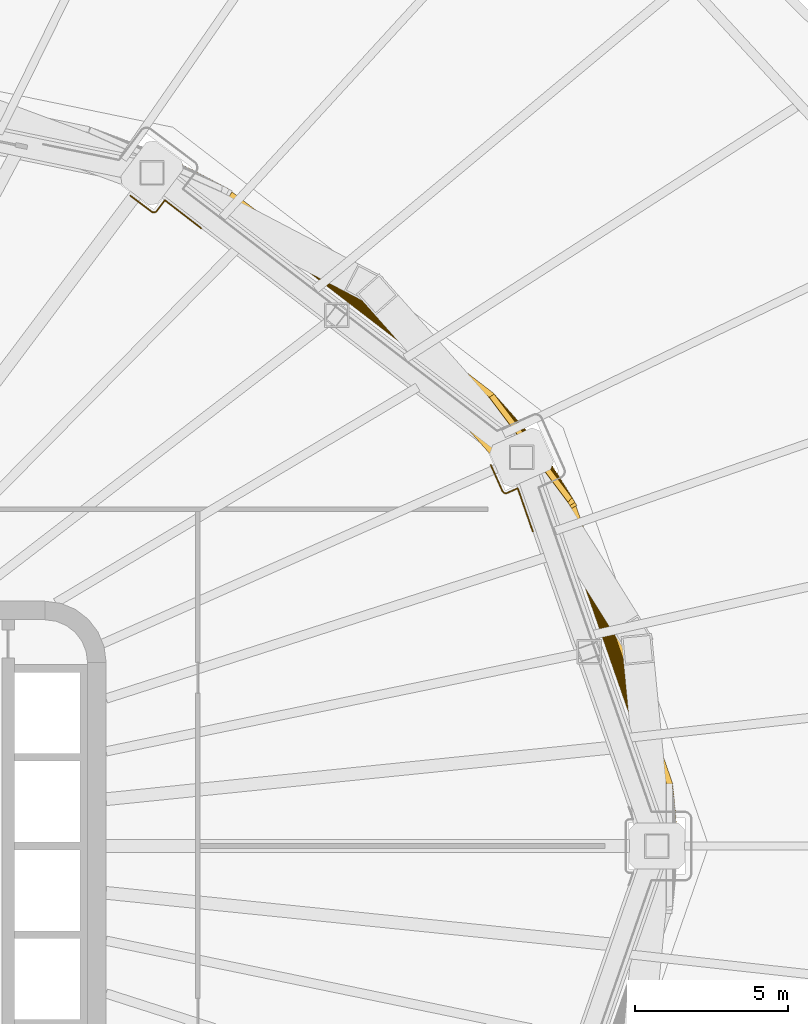
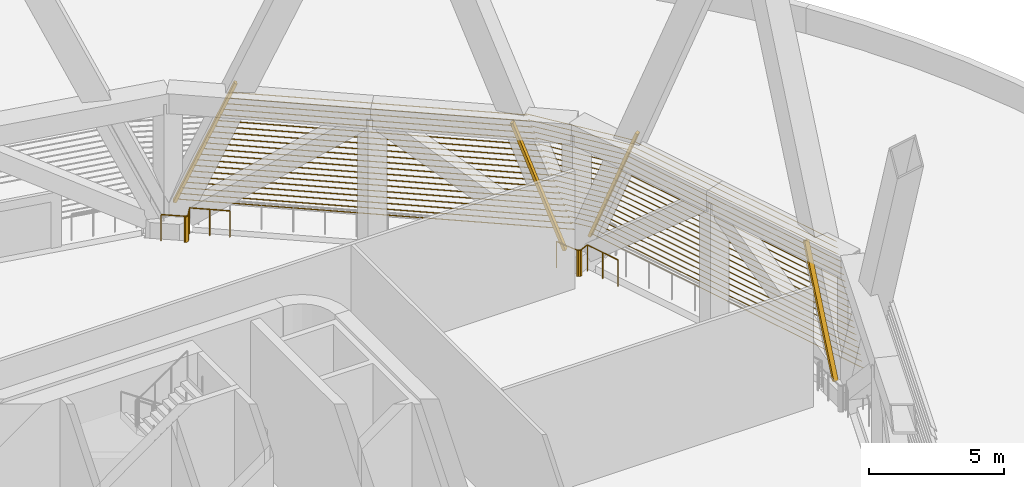
# One storey, part 25 of 27: 3 shading devices, 2 railings.
"""IFC4 building model written with IfcOpenShell, lengths in metres."""

from ifc_helpers import new_model, si_unit, direction, frame, origin, origin_2d, place, context, subcontext, project, spatial, rectangle, circle, extrude, material, type_object, element, save


model = new_model("IFC4")

# Units and contexts
model_context = context("Model", 3, precision=1e-05, world=origin(), true_north=direction((0.0, 1.0)))
body_context = subcontext(model_context, "Body", "Model", "MODEL_VIEW")
ifc_project = project(units=[si_unit("LENGTHUNIT", "METRE"), si_unit("AREAUNIT", "SQUARE_METRE"), si_unit("VOLUMEUNIT", "CUBIC_METRE"), si_unit("PLANEANGLEUNIT", "RADIAN"), si_unit("MASSUNIT", "GRAM", prefix="KILO")], contexts=[model_context])

# Site, building, storey
site_placement = place(None, origin())
site = spatial("IfcSite", under=ifc_project, at=site_placement, CompositionType="ELEMENT")
building_placement = place(site_placement, origin())
building = spatial("IfcBuilding", under=site, at=building_placement, Name="Sahrelin Media Tower", CompositionType="ELEMENT")
storey_placement = place(building_placement, frame((0.0, 0.0, 44.0)))
storey = spatial("IfcBuildingStorey", under=building, at=storey_placement, Name="L06", CompositionType="ELEMENT", Elevation=44.0)

# Railings
ifc_material_1 = material(Name="Stainless steel 316", Category="steel")
railing_type = type_object("IfcRailingType", Name="Maintenance platform guard", PredefinedType="GUARDRAIL", material=ifc_material_1)
railing_1_placement = place(storey_placement, frame((27.5712890625, 12.455078125, 0.0)))
element("IfcRailing", 1, at=railing_1_placement, inside=storey, type_object=railing_type, Name="Plant level edge guard 2", PredefinedType="GUARDRAIL", context=body_context, shape_type="SweptSolid", body=[
    extrude(circle(Radius=0.02392578125, at=origin_2d()), frame((0.0, 0.0, 1.17578125), z_axis=(0.406283261409, -0.91374718139, 0.0), x_axis=(0.91374718139, 0.406283261409, 0.0)), (0.0, 0.0, 1.0), 0.938720703125),
    extrude(circle(Radius=0.02392578125, at=origin_2d()), frame((0.38134765625, -0.857666015625, 1.17578125), z_axis=(0.466758619558, -0.884384752847, 0.0), x_axis=(0.884384752847, 0.466758619558, 0.0)), (0.0, 0.0, 1.0), 0.010009765625),
    extrude(circle(Radius=0.02392578125, at=origin_2d()), frame((0.385986328125, -0.866455078125, 1.17578125), z_axis=(0.53966611472, -0.841879138964, 0.0), x_axis=(0.841879138964, 0.53966611472, 0.0)), (0.0, 0.0, 1.0), 0.01123046875),
    extrude(circle(Radius=0.02392578125, at=origin_2d()), frame((0.39208984375, -0.8759765625, 1.17578125), z_axis=(0.621394711002, -0.78349767909, 0.0), x_axis=(0.78349767909, 0.621394711002, 0.0)), (0.0, 0.0, 1.0), 0.009033203125),
    extrude(circle(Radius=0.02392578125, at=origin_2d()), frame((0.397705078125, -0.883056640625, 1.17578125), z_axis=(0.658504607869, -0.752576694707, 0.0), x_axis=(0.752576694707, 0.658504607869, 0.0)), (0.0, 0.0, 1.0), 0.012939453125),
    extrude(circle(Radius=0.02392578125, at=origin_2d()), frame((0.40625, -0.892822265625, 1.17578125), z_axis=(0.77137327854, -0.636382954796, 0.0), x_axis=(0.636382954796, 0.77137327854, 0.0)), (0.0, 0.0, 1.0), 0.0126953125),
    extrude(circle(Radius=0.02392578125, at=origin_2d()), frame((0.416015625, -0.90087890625, 1.17578125), z_axis=(0.815180408266, -0.579207132189, 0.0), x_axis=(0.579207132189, 0.815180408266, 0.0)), (0.0, 0.0, 1.0), 0.011474609375),
    extrude(circle(Radius=0.02392578125, at=origin_2d()), frame((0.42529296875, -0.907470703125, 1.17578125), z_axis=(0.875034042418, -0.484061385167, 0.0), x_axis=(0.484061385167, 0.875034042418, 0.0)), (0.0, 0.0, 1.0), 0.01318359375),
    extrude(circle(Radius=0.02392578125, at=origin_2d()), frame((0.436767578125, -0.913818359375, 1.17578125), z_axis=(0.919145030018, -0.393919298579, 0.0), x_axis=(0.393919298579, 0.919145030018, 0.0)), (0.0, 0.0, 1.0), 0.01123046875),
    extrude(circle(Radius=0.02392578125, at=origin_2d()), frame((0.447021484375, -0.918212890625, 1.17578125), z_axis=(0.948683298051, -0.316227766017, 0.0), x_axis=(0.316227766017, 0.948683298051, 0.0)), (0.0, 0.0, 1.0), 0.010009765625),
    extrude(circle(Radius=0.02392578125, at=origin_2d()), frame((0.45654296875, -0.92138671875, 1.17578125), z_axis=(0.971297311632, -0.237868729379, 0.0), x_axis=(0.237868729379, 0.971297311632, 0.0)), (0.0, 0.0, 1.0), 0.01220703125),
    extrude(circle(Radius=0.02392578125, at=origin_2d()), frame((0.468505859375, -0.92431640625, 1.17578125), z_axis=(0.99503719021, -0.099503719021, 0.0), x_axis=(0.099503719021, 0.99503719021, 0.0)), (0.0, 0.0, 1.0), 0.01220703125),
    extrude(circle(Radius=0.02392578125, at=origin_2d()), frame((0.480712890625, -0.925537109375, 1.17578125), z_axis=(0.998052578483, -0.062378286155, 0.0), x_axis=(0.062378286155, 0.998052578483, 0.0)), (0.0, 0.0, 1.0), 0.01171875),
    extrude(circle(Radius=0.02392578125, at=origin_2d()), frame((0.492431640625, -0.92626953125, 1.17578125), z_axis=(0.99522852512, 0.097571424031, 0.0), x_axis=(-0.097571424031, 0.99522852512, 0.0)), (0.0, 0.0, 1.0), 0.012451171875),
    extrude(circle(Radius=0.02392578125, at=origin_2d()), frame((0.5048828125, -0.925048828125, 1.17578125), z_axis=(0.987440631917, 0.157990501107, 0.0), x_axis=(-0.157990501107, 0.987440631917, 0.0)), (0.0, 0.0, 1.0), 0.012451171875),
    extrude(circle(Radius=0.02392578125, at=origin_2d()), frame((0.51708984375, -0.923095703125, 1.17578125), z_axis=(0.950605456491, 0.310401781711, 0.0), x_axis=(-0.310401781711, 0.950605456491, 0.0)), (0.0, 0.0, 1.0), 0.0126953125),
    extrude(circle(Radius=0.02392578125, at=origin_2d()), frame((0.529052734375, -0.919189453125, 1.17578125), z_axis=(0.934997526318, 0.354654234121, 0.0), x_axis=(-0.354654234121, 0.934997526318, 0.0)), (0.0, 0.0, 1.0), 0.007568359375),
    extrude(circle(Radius=0.02392578125, at=origin_2d()), frame((0.5361328125, -0.91650390625, 1.17578125), z_axis=(0.913891374695, 0.405958809805, 0.0), x_axis=(-0.405958809805, 0.913891374695, 0.0)), (0.0, 0.0, 1.0), 0.378173828125),
    extrude(circle(Radius=0.02392578125, at=origin_2d()), frame((0.8818359375, -0.762939453125, 1.17578125), z_axis=(0.328798392756, -0.944400136024, 0.0), x_axis=(0.944400136024, 0.328798392756, 0.0)), (0.0, 0.0, 1.0), 1.5),
    extrude(circle(Radius=0.02099609375, at=origin_2d()), origin(), (0.0, 0.0, 1.0), 1.15185546875),
    extrude(circle(Radius=0.02099609375, at=origin_2d()), frame((0.38134765625, -0.857666015625, 0.0)), (0.0, 0.0, 1.0), 1.15185546875),
    extrude(circle(Radius=0.02099609375, at=origin_2d()), frame((0.385986328125, -0.866455078125, 0.0)), (0.0, 0.0, 1.0), 1.15185546875),
    extrude(circle(Radius=0.02099609375, at=origin_2d()), frame((0.39208984375, -0.8759765625, 0.0)), (0.0, 0.0, 1.0), 1.15185546875),
    extrude(circle(Radius=0.02099609375, at=origin_2d()), frame((0.397705078125, -0.883056640625, 0.0)), (0.0, 0.0, 1.0), 1.15185546875),
    extrude(circle(Radius=0.02099609375, at=origin_2d()), frame((0.40625, -0.892822265625, 0.0)), (0.0, 0.0, 1.0), 1.15185546875),
    extrude(circle(Radius=0.02099609375, at=origin_2d()), frame((0.416015625, -0.90087890625, 0.0)), (0.0, 0.0, 1.0), 1.15185546875),
    extrude(circle(Radius=0.02099609375, at=origin_2d()), frame((0.42529296875, -0.907470703125, 0.0)), (0.0, 0.0, 1.0), 1.15185546875),
    extrude(circle(Radius=0.02099609375, at=origin_2d()), frame((0.436767578125, -0.913818359375, 0.0)), (0.0, 0.0, 1.0), 1.15185546875),
    extrude(circle(Radius=0.02099609375, at=origin_2d()), frame((0.447021484375, -0.918212890625, 0.0)), (0.0, 0.0, 1.0), 1.15185546875),
    extrude(circle(Radius=0.02099609375, at=origin_2d()), frame((0.45654296875, -0.92138671875, 0.0)), (0.0, 0.0, 1.0), 1.15185546875),
    extrude(circle(Radius=0.02099609375, at=origin_2d()), frame((0.468505859375, -0.92431640625, 0.0)), (0.0, 0.0, 1.0), 1.15185546875),
    extrude(circle(Radius=0.02099609375, at=origin_2d()), frame((0.480712890625, -0.925537109375, 0.0)), (0.0, 0.0, 1.0), 1.15185546875),
    extrude(circle(Radius=0.02099609375, at=origin_2d()), frame((0.492431640625, -0.92626953125, 0.0)), (0.0, 0.0, 1.0), 1.15185546875),
    extrude(circle(Radius=0.02099609375, at=origin_2d()), frame((0.5048828125, -0.925048828125, 0.0)), (0.0, 0.0, 1.0), 1.15185546875),
    extrude(circle(Radius=0.02099609375, at=origin_2d()), frame((0.51708984375, -0.923095703125, 0.0)), (0.0, 0.0, 1.0), 1.15185546875),
    extrude(circle(Radius=0.02099609375, at=origin_2d()), frame((0.529052734375, -0.919189453125, 0.0)), (0.0, 0.0, 1.0), 1.15185546875),
    extrude(circle(Radius=0.02099609375, at=origin_2d()), frame((0.5361328125, -0.91650390625, 0.0)), (0.0, 0.0, 1.0), 1.15185546875),
    extrude(circle(Radius=0.02099609375, at=origin_2d()), frame((0.8818359375, -0.762939453125, 0.0)), (0.0, 0.0, 1.0), 1.15185546875),
    extrude(circle(Radius=0.02099609375, at=origin_2d()), frame((1.12841796875, -1.47119140625, 0.0)), (0.0, 0.0, 1.0), 1.15185546875),
    extrude(circle(Radius=0.02099609375, at=origin_2d()), frame((1.375, -2.179443359375, 0.0)), (0.0, 0.0, 1.0), 1.15185546875),
])
railing_2_placement = place(storey_placement, frame((15.790283203125, 21.25439453125, 0.0)))
element("IfcRailing", 2, at=railing_2_placement, inside=storey, type_object=railing_type, Name="Plant level edge guard 3", PredefinedType="GUARDRAIL", context=body_context, shape_type="SweptSolid", body=[
    extrude(circle(Radius=0.02392578125, at=origin_2d()), frame((0.0, 0.0, 1.17578125), z_axis=(0.799865924291, -0.600178726013, 0.0), x_axis=(0.600178726013, 0.799865924291, 0.0)), (0.0, 0.0, 1.0), 0.874267578125),
    extrude(circle(Radius=0.02392578125, at=origin_2d()), frame((0.69921875, -0.524658203125, 1.17578125), z_axis=(0.828588968691, -0.559857411278, 0.0), x_axis=(0.559857411278, 0.828588968691, 0.0)), (0.0, 0.0, 1.0), 0.010986328125),
    extrude(circle(Radius=0.02392578125, at=origin_2d()), frame((0.708251953125, -0.53076171875, 1.17578125), z_axis=(0.890043364859, -0.455875869806, 0.0), x_axis=(0.455875869806, 0.890043364859, 0.0)), (0.0, 0.0, 1.0), 0.01123046875),
    extrude(circle(Radius=0.02392578125, at=origin_2d()), frame((0.71826171875, -0.535888671875, 1.17578125), z_axis=(0.91785703596, -0.396911150685, 0.0), x_axis=(0.396911150685, 0.91785703596, 0.0)), (0.0, 0.0, 1.0), 0.009765625),
    extrude(circle(Radius=0.02392578125, at=origin_2d()), frame((0.727294921875, -0.539794921875, 1.17578125), z_axis=(0.950605456491, -0.310401781711, 0.0), x_axis=(0.310401781711, 0.950605456491, 0.0)), (0.0, 0.0, 1.0), 0.0126953125),
    extrude(circle(Radius=0.02392578125, at=origin_2d()), frame((0.7392578125, -0.543701171875, 1.17578125), z_axis=(0.978980419738, -0.203954254112, 0.0), x_axis=(0.203954254112, 0.978980419738, 0.0)), (0.0, 0.0, 1.0), 0.011962890625),
    extrude(circle(Radius=0.02392578125, at=origin_2d()), frame((0.7509765625, -0.546142578125, 1.17578125), z_axis=(0.99522852512, -0.097571424031, 0.0), x_axis=(0.097571424031, 0.99522852512, 0.0)), (0.0, 0.0, 1.0), 0.012451171875),
    extrude(circle(Radius=0.02392578125, at=origin_2d()), frame((0.763427734375, -0.54736328125, 1.17578125), z_axis=(1.0, 0.0, 0.0), x_axis=(0.0, 1.0, 0.0)), (0.0, 0.0, 1.0), 0.01220703125),
    extrude(circle(Radius=0.02392578125, at=origin_2d()), frame((0.775634765625, -0.54736328125, 1.17578125), z_axis=(0.99503719021, 0.099503719021, 0.0), x_axis=(-0.099503719021, 0.99503719021, 0.0)), (0.0, 0.0, 1.0), 0.01220703125),
    extrude(circle(Radius=0.02392578125, at=origin_2d()), frame((0.787841796875, -0.546142578125, 1.17578125), z_axis=(0.979602700641, 0.200944143721, 0.0), x_axis=(-0.200944143721, 0.979602700641, 0.0)), (0.0, 0.0, 1.0), 0.009765625),
    extrude(circle(Radius=0.02392578125, at=origin_2d()), frame((0.79736328125, -0.544189453125, 1.17578125), z_axis=(0.967822506788, 0.251633851765, 0.0), x_axis=(-0.251633851765, 0.967822506788, 0.0)), (0.0, 0.0, 1.0), 0.0126953125),
    extrude(circle(Radius=0.02392578125, at=origin_2d()), frame((0.8095703125, -0.541015625, 1.17578125), z_axis=(0.911586756889, 0.411107753107, 0.0), x_axis=(-0.411107753107, 0.911586756889, 0.0)), (0.0, 0.0, 1.0), 0.013671875),
    extrude(circle(Radius=0.02392578125, at=origin_2d()), frame((0.822021484375, -0.535400390625, 1.17578125), z_axis=(0.885397902838, 0.46483389899, 0.0), x_axis=(-0.46483389899, 0.885397902838, 0.0)), (0.0, 0.0, 1.0), 0.010986328125),
    extrude(circle(Radius=0.02392578125, at=origin_2d()), frame((0.831787109375, -0.5302734375, 1.17578125), z_axis=(0.82039816677, 0.571792661688, 0.0), x_axis=(-0.571792661688, 0.82039816677, 0.0)), (0.0, 0.0, 1.0), 0.009765625),
    extrude(circle(Radius=0.02392578125, at=origin_2d()), frame((0.83984375, -0.524658203125, 1.17578125), z_axis=(0.8, 0.6, 0.0), x_axis=(-0.6, 0.8, 0.0)), (0.0, 0.0, 1.0), 0.010986328125),
    extrude(circle(Radius=0.02392578125, at=origin_2d()), frame((0.8486328125, -0.51806640625, 1.17578125), z_axis=(0.715376179206, 0.698739523875, 0.0), x_axis=(-0.698739523875, 0.715376179206, 0.0)), (0.0, 0.0, 1.0), 0.0146484375),
    extrude(circle(Radius=0.02392578125, at=origin_2d()), frame((0.859130859375, -0.5078125, 1.17578125), z_axis=(0.621394711002, 0.78349767909, 0.0), x_axis=(-0.78349767909, 0.621394711002, 0.0)), (0.0, 0.0, 1.0), 0.009033203125),
    extrude(circle(Radius=0.02392578125, at=origin_2d()), frame((0.86474609375, -0.500732421875, 1.17578125), z_axis=(0.6, 0.8, 0.0), x_axis=(-0.8, 0.6, 0.0)), (0.0, 0.0, 1.0), 0.440673828125),
    extrude(circle(Radius=0.02392578125, at=origin_2d()), frame((1.129150390625, -0.148193359375, 1.17578125), z_axis=(0.792496907221, -0.609875931682, 0.0), x_axis=(0.609875931682, 0.792496907221, 0.0)), (0.0, 0.0, 1.0), 1.5),
    extrude(circle(Radius=0.02099609375, at=origin_2d()), origin(), (0.0, 0.0, 1.0), 1.15185546875),
    extrude(circle(Radius=0.02099609375, at=origin_2d()), frame((0.69921875, -0.524658203125, 0.0)), (0.0, 0.0, 1.0), 1.15185546875),
    extrude(circle(Radius=0.02099609375, at=origin_2d()), frame((0.708251953125, -0.53076171875, 0.0)), (0.0, 0.0, 1.0), 1.15185546875),
    extrude(circle(Radius=0.02099609375, at=origin_2d()), frame((0.71826171875, -0.535888671875, 0.0)), (0.0, 0.0, 1.0), 1.15185546875),
    extrude(circle(Radius=0.02099609375, at=origin_2d()), frame((0.727294921875, -0.539794921875, 0.0)), (0.0, 0.0, 1.0), 1.15185546875),
    extrude(circle(Radius=0.02099609375, at=origin_2d()), frame((0.7392578125, -0.543701171875, 0.0)), (0.0, 0.0, 1.0), 1.15185546875),
    extrude(circle(Radius=0.02099609375, at=origin_2d()), frame((0.7509765625, -0.546142578125, 0.0)), (0.0, 0.0, 1.0), 1.15185546875),
    extrude(circle(Radius=0.02099609375, at=origin_2d()), frame((0.763427734375, -0.54736328125, 0.0)), (0.0, 0.0, 1.0), 1.15185546875),
    extrude(circle(Radius=0.02099609375, at=origin_2d()), frame((0.775634765625, -0.54736328125, 0.0)), (0.0, 0.0, 1.0), 1.15185546875),
    extrude(circle(Radius=0.02099609375, at=origin_2d()), frame((0.787841796875, -0.546142578125, 0.0)), (0.0, 0.0, 1.0), 1.15185546875),
    extrude(circle(Radius=0.02099609375, at=origin_2d()), frame((0.79736328125, -0.544189453125, 0.0)), (0.0, 0.0, 1.0), 1.15185546875),
    extrude(circle(Radius=0.02099609375, at=origin_2d()), frame((0.8095703125, -0.541015625, 0.0)), (0.0, 0.0, 1.0), 1.15185546875),
    extrude(circle(Radius=0.02099609375, at=origin_2d()), frame((0.822021484375, -0.535400390625, 0.0)), (0.0, 0.0, 1.0), 1.15185546875),
    extrude(circle(Radius=0.02099609375, at=origin_2d()), frame((0.831787109375, -0.5302734375, 0.0)), (0.0, 0.0, 1.0), 1.15185546875),
    extrude(circle(Radius=0.02099609375, at=origin_2d()), frame((0.83984375, -0.524658203125, 0.0)), (0.0, 0.0, 1.0), 1.15185546875),
    extrude(circle(Radius=0.02099609375, at=origin_2d()), frame((0.8486328125, -0.51806640625, 0.0)), (0.0, 0.0, 1.0), 1.15185546875),
    extrude(circle(Radius=0.02099609375, at=origin_2d()), frame((0.859130859375, -0.5078125, 0.0)), (0.0, 0.0, 1.0), 1.15185546875),
    extrude(circle(Radius=0.02099609375, at=origin_2d()), frame((0.86474609375, -0.500732421875, 0.0)), (0.0, 0.0, 1.0), 1.15185546875),
    extrude(circle(Radius=0.02099609375, at=origin_2d()), frame((1.129150390625, -0.148193359375, 0.0)), (0.0, 0.0, 1.0), 1.15185546875),
    extrude(circle(Radius=0.02099609375, at=origin_2d()), frame((1.7236328125, -0.60546875, 0.0)), (0.0, 0.0, 1.0), 1.15185546875),
    extrude(circle(Radius=0.02099609375, at=origin_2d()), frame((2.31787109375, -1.06298828125, 0.0)), (0.0, 0.0, 1.0), 1.15185546875),
])

# Shading devices
ifc_material_2 = material(Name="Champagne anodised aluminium 6063-T6", Category="aluminium")
shading_device_type = type_object("IfcShadingDeviceType", Name="Sand-rejection louvre band", PredefinedType="USERDEFINED", material=ifc_material_2)
shading_device_1_placement = place(storey_placement, frame((30.802734375, 6.3115234375, 0.0), z_axis=(0.0, 0.0, 1.0), x_axis=(0.32879986848, -0.94439962224, 0.0)))
element("IfcShadingDevice", 3, at=shading_device_1_placement, inside=storey, type_object=shading_device_type, Name="L06:LOUVRE:L06-01", ObjectType="LOUVRE", PredefinedType="USERDEFINED", context=body_context, shape_type="SweptSolid", body=[
    extrude(rectangle(XDim=0.199951171875, YDim=0.1201171875, at=origin_2d()), frame((6.31884765625, -0.529052734375, 0.64990234375), z_axis=(-0.323326366317, 0.078343964315, 0.943038856092), x_axis=(-0.235491615901, -0.971876380431, 0.0)), (0.0, 0.0, 1.0), 5.61865234375),
    extrude(rectangle(XDim=0.199951171875, YDim=0.1201171875, at=origin_2d()), frame((-6.660400390625, 0.63916015625, 0.64990234375), z_axis=(0.341735935027, 0.077806527447, 0.936569642364), x_axis=(-0.22199893607, 0.975046907786, 0.0)), (0.0, 0.0, 1.0), 5.657470703125),
    extrude(rectangle(XDim=0.25, YDim=0.02001953125, at=origin_2d()), frame((6.5712890625, 0.662353515625, 0.75), z_axis=(-1.0, 0.0, 0.0), x_axis=(0.0, -0.766044443119, 0.642787609687)), (0.0, 0.0, 1.0), 13.19873046875),
    extrude(rectangle(XDim=0.25, YDim=0.02001953125, at=origin_2d()), frame((6.485595703125, 0.68310546875, 1.0), z_axis=(-1.0, 0.0, 0.0), x_axis=(0.0, -0.766044443119, 0.642787609687)), (0.0, 0.0, 1.0), 13.021728515625),
    extrude(rectangle(XDim=0.25, YDim=0.02001953125, at=origin_2d()), frame((6.39990234375, 0.703857421875, 1.25), z_axis=(-1.0, 0.0, 0.0), x_axis=(0.0, -0.766044443119, 0.642787609687)), (0.0, 0.0, 1.0), 12.844970703125),
    extrude(rectangle(XDim=0.25, YDim=0.02001953125, at=origin_2d()), frame((6.314208984375, 0.724609375, 1.5), z_axis=(-1.0, 0.0, 0.0), x_axis=(0.0, -0.766044443119, 0.642787609687)), (0.0, 0.0, 1.0), 12.66796875),
    extrude(rectangle(XDim=0.25, YDim=0.02001953125, at=origin_2d()), frame((6.228515625, 0.745361328125, 1.75), z_axis=(-1.0, 0.0, 0.0), x_axis=(0.0, -0.766044443119, 0.642787609687)), (0.0, 0.0, 1.0), 12.4912109375),
    extrude(rectangle(XDim=0.25, YDim=0.02001953125, at=origin_2d()), frame((6.142578125, 0.76611328125, 2.0), z_axis=(-1.0, 0.0, 0.0), x_axis=(0.0, -0.766044443119, 0.642787609687)), (0.0, 0.0, 1.0), 12.31396484375),
    extrude(rectangle(XDim=0.25, YDim=0.02001953125, at=origin_2d()), frame((6.056884765625, 0.787109375, 2.25), z_axis=(-1.0, 0.0, 0.0), x_axis=(0.0, -0.766044443119, 0.642787609687)), (0.0, 0.0, 1.0), 12.136962890625),
    extrude(rectangle(XDim=0.25, YDim=0.02001953125, at=origin_2d()), frame((5.97119140625, 0.8076171875, 2.5), z_axis=(-1.0, 0.0, 0.0), x_axis=(0.0, -0.766044443119, 0.642787609687)), (0.0, 0.0, 1.0), 11.960205078125),
    extrude(rectangle(XDim=0.25, YDim=0.02001953125, at=origin_2d()), frame((5.885498046875, 0.82861328125, 2.75), z_axis=(-1.0, 0.0, 0.0), x_axis=(0.0, -0.766044443119, 0.642787609687)), (0.0, 0.0, 1.0), 11.783203125),
    extrude(rectangle(XDim=0.25, YDim=0.02001953125, at=origin_2d()), frame((5.7998046875, 0.849365234375, 3.0), z_axis=(-1.0, 0.0, 0.0), x_axis=(0.0, -0.766044443119, 0.642787609687)), (0.0, 0.0, 1.0), 11.606201171875),
    extrude(rectangle(XDim=0.25, YDim=0.02001953125, at=origin_2d()), frame((5.714111328125, 0.8701171875, 3.25), z_axis=(-1.0, 0.0, 0.0), x_axis=(0.0, -0.766044443119, 0.642787609687)), (0.0, 0.0, 1.0), 11.42919921875),
    extrude(rectangle(XDim=0.25, YDim=0.02001953125, at=origin_2d()), frame((5.62841796875, 0.890869140625, 3.5), z_axis=(-1.0, 0.0, 0.0), x_axis=(0.0, -0.766044443119, 0.642787609687)), (0.0, 0.0, 1.0), 11.25244140625),
    extrude(rectangle(XDim=0.25, YDim=0.02001953125, at=origin_2d()), frame((5.542724609375, 0.91162109375, 3.75), z_axis=(-1.0, 0.0, 0.0), x_axis=(0.0, -0.766044443119, 0.642787609687)), (0.0, 0.0, 1.0), 11.075439453125),
    extrude(rectangle(XDim=0.25, YDim=0.02001953125, at=origin_2d()), frame((5.45703125, 0.932373046875, 4.0), z_axis=(-1.0, 0.0, 0.0), x_axis=(0.0, -0.766044443119, 0.642787609687)), (0.0, 0.0, 1.0), 10.898681640625),
    extrude(rectangle(XDim=0.25, YDim=0.02001953125, at=origin_2d()), frame((5.371337890625, 0.953125, 4.25), z_axis=(-1.0, 0.0, 0.0), x_axis=(0.0, -0.766044443119, 0.642787609687)), (0.0, 0.0, 1.0), 10.7216796875),
    extrude(rectangle(XDim=0.25, YDim=0.02001953125, at=origin_2d()), frame((5.285400390625, 0.973876953125, 4.5), z_axis=(-1.0, 0.0, 0.0), x_axis=(0.0, -0.766044443119, 0.642787609687)), (0.0, 0.0, 1.0), 10.54443359375),
    extrude(rectangle(XDim=0.25, YDim=0.02001953125, at=origin_2d()), frame((5.19970703125, 0.99462890625, 4.75), z_axis=(-1.0, 0.0, 0.0), x_axis=(0.0, -0.766044443119, 0.642787609687)), (0.0, 0.0, 1.0), 10.36767578125),
    extrude(rectangle(XDim=0.25, YDim=0.02001953125, at=origin_2d()), frame((5.114013671875, 1.015380859375, 5.0), z_axis=(-1.0, 0.0, 0.0), x_axis=(0.0, -0.766044443119, 0.642787609687)), (0.0, 0.0, 1.0), 10.190673828125),
    extrude(rectangle(XDim=0.25, YDim=0.02001953125, at=origin_2d()), frame((5.0283203125, 1.036376953125, 5.25), z_axis=(-1.0, 0.0, 0.0), x_axis=(0.0, -0.766044443119, 0.642787609687)), (0.0, 0.0, 1.0), 10.013916015625),
    extrude(rectangle(XDim=0.25, YDim=0.02001953125, at=origin_2d()), frame((4.942626953125, 1.056884765625, 5.5), z_axis=(-1.0, 0.0, 0.0), x_axis=(0.0, -0.766044443119, 0.642787609687)), (0.0, 0.0, 1.0), 9.8369140625),
])
shading_device_2_placement = place(storey_placement, frame((28.564453125, 12.71923828125, 0.0), z_axis=(0.0, 0.0, 1.0), x_axis=(0.6, -0.8, 0.0)))
element("IfcShadingDevice", 4, at=shading_device_2_placement, inside=storey, type_object=shading_device_type, Name="L06:LOUVRE:L06-02", ObjectType="LOUVRE", PredefinedType="USERDEFINED", context=body_context, shape_type="SweptSolid", body=[
    extrude(rectangle(XDim=0.199951171875, YDim=0.1201171875, at=origin_2d()), frame((0.428955078125, 0.56787109375, 0.949951171875), z_axis=(0.349254108334, -0.029641998978, 0.936559085007), x_axis=(0.084568259593, 0.996417688256, 0.0)), (0.0, 0.0, 1.0), 5.337158203125),
    extrude(rectangle(XDim=0.199951171875, YDim=0.1201171875, at=origin_2d()), frame((-0.295166015625, -0.628173828125, 0.949951171875), z_axis=(-0.361058414032, -0.029454645553, 0.932077918155), x_axis=(0.081308507287, -0.996688981901, 0.0)), (0.0, 0.0, 1.0), 5.36279296875),
    extrude(rectangle(XDim=0.25, YDim=0.02001953125, at=origin_2d()), frame((0.466552734375, 0.56689453125, 1.050048828125), z_axis=(-1.0, 0.0, 0.0), x_axis=(0.0, -0.766044443119, 0.642787609687)), (0.0, 0.0, 1.0), 0.898193359375),
    extrude(rectangle(XDim=0.25, YDim=0.02001953125, at=origin_2d()), frame((0.559814453125, 0.558837890625, 1.300048828125), z_axis=(-1.0, 0.0, 0.0), x_axis=(0.0, -0.766044443119, 0.642787609687)), (0.0, 0.0, 1.0), 1.08837890625),
    extrude(rectangle(XDim=0.25, YDim=0.02001953125, at=origin_2d()), frame((0.653076171875, 0.551025390625, 1.550048828125), z_axis=(-1.0, 0.0, 0.0), x_axis=(0.0, -0.766044443119, 0.642787609687)), (0.0, 0.0, 1.0), 1.278564453125),
    extrude(rectangle(XDim=0.25, YDim=0.02001953125, at=origin_2d()), frame((0.74609375, 0.543212890625, 1.800048828125), z_axis=(-1.0, 0.0, 0.0), x_axis=(0.0, -0.766044443119, 0.642787609687)), (0.0, 0.0, 1.0), 1.46826171875),
    extrude(rectangle(XDim=0.25, YDim=0.02001953125, at=origin_2d()), frame((0.83935546875, 0.53515625, 2.050048828125), z_axis=(-1.0, 0.0, 0.0), x_axis=(0.0, -0.766044443119, 0.642787609687)), (0.0, 0.0, 1.0), 1.658447265625),
    extrude(rectangle(XDim=0.25, YDim=0.02001953125, at=origin_2d()), frame((0.9326171875, 0.527099609375, 2.300048828125), z_axis=(-1.0, 0.0, 0.0), x_axis=(0.0, -0.766044443119, 0.642787609687)), (0.0, 0.0, 1.0), 1.8486328125),
    extrude(rectangle(XDim=0.25, YDim=0.02001953125, at=origin_2d()), frame((1.02587890625, 0.519287109375, 2.550048828125), z_axis=(-1.0, 0.0, 0.0), x_axis=(0.0, -0.766044443119, 0.642787609687)), (0.0, 0.0, 1.0), 2.03857421875),
    extrude(rectangle(XDim=0.25, YDim=0.02001953125, at=origin_2d()), frame((1.119140625, 0.511474609375, 2.800048828125), z_axis=(-1.0, 0.0, 0.0), x_axis=(0.0, -0.766044443119, 0.642787609687)), (0.0, 0.0, 1.0), 2.228759765625),
    extrude(rectangle(XDim=0.25, YDim=0.02001953125, at=origin_2d()), frame((1.21240234375, 0.50341796875, 3.050048828125), z_axis=(-1.0, 0.0, 0.0), x_axis=(0.0, -0.766044443119, 0.642787609687)), (0.0, 0.0, 1.0), 2.4189453125),
    extrude(rectangle(XDim=0.25, YDim=0.02001953125, at=origin_2d()), frame((1.305419921875, 0.49560546875, 3.300048828125), z_axis=(-1.0, 0.0, 0.0), x_axis=(0.0, -0.766044443119, 0.642787609687)), (0.0, 0.0, 1.0), 2.608642578125),
    extrude(rectangle(XDim=0.25, YDim=0.02001953125, at=origin_2d()), frame((1.398681640625, 0.48779296875, 3.550048828125), z_axis=(-1.0, 0.0, 0.0), x_axis=(0.0, -0.766044443119, 0.642787609687)), (0.0, 0.0, 1.0), 2.798828125),
    extrude(rectangle(XDim=0.25, YDim=0.02001953125, at=origin_2d()), frame((1.491943359375, 0.479736328125, 3.800048828125), z_axis=(-1.0, 0.0, 0.0), x_axis=(0.0, -0.766044443119, 0.642787609687)), (0.0, 0.0, 1.0), 2.989013671875),
    extrude(rectangle(XDim=0.25, YDim=0.02001953125, at=origin_2d()), frame((1.585205078125, 0.471923828125, 4.050048828125), z_axis=(-1.0, 0.0, 0.0), x_axis=(0.0, -0.766044443119, 0.642787609687)), (0.0, 0.0, 1.0), 3.17919921875),
    extrude(rectangle(XDim=0.25, YDim=0.02001953125, at=origin_2d()), frame((1.678466796875, 0.464111328125, 4.300048828125), z_axis=(-1.0, 0.0, 0.0), x_axis=(0.0, -0.766044443119, 0.642787609687)), (0.0, 0.0, 1.0), 3.369140625),
    extrude(rectangle(XDim=0.25, YDim=0.02001953125, at=origin_2d()), frame((1.771484375, 0.4560546875, 4.550048828125), z_axis=(-1.0, 0.0, 0.0), x_axis=(0.0, -0.766044443119, 0.642787609687)), (0.0, 0.0, 1.0), 3.55908203125),
    extrude(rectangle(XDim=0.25, YDim=0.02001953125, at=origin_2d()), frame((1.86474609375, 0.447998046875, 4.800048828125), z_axis=(-1.0, 0.0, 0.0), x_axis=(0.0, -0.766044443119, 0.642787609687)), (0.0, 0.0, 1.0), 3.749267578125),
    extrude(rectangle(XDim=0.25, YDim=0.02001953125, at=origin_2d()), frame((1.9580078125, 0.440185546875, 5.050048828125), z_axis=(-1.0, 0.0, 0.0), x_axis=(0.0, -0.766044443119, 0.642787609687)), (0.0, 0.0, 1.0), 3.939208984375),
    extrude(rectangle(XDim=0.25, YDim=0.02001953125, at=origin_2d()), frame((2.05126953125, 0.432373046875, 5.300048828125), z_axis=(-1.0, 0.0, 0.0), x_axis=(0.0, -0.766044443119, 0.642787609687)), (0.0, 0.0, 1.0), 4.12939453125),
    extrude(rectangle(XDim=0.25, YDim=0.02001953125, at=origin_2d()), frame((2.14453125, 0.42431640625, 5.550048828125), z_axis=(-1.0, 0.0, 0.0), x_axis=(0.0, -0.766044443119, 0.642787609687)), (0.0, 0.0, 1.0), 4.319580078125),
])
shading_device_3_placement = place(storey_placement, frame((22.594482421875, 17.30615234375, 0.0), z_axis=(0.0, 0.0, 1.0), x_axis=(0.792449224512, -0.609937887469, 0.0)))
element("IfcShadingDevice", 5, at=shading_device_3_placement, inside=storey, type_object=shading_device_type, Name="L06:LOUVRE:L06-03", ObjectType="LOUVRE", PredefinedType="USERDEFINED", context=body_context, shape_type="SweptSolid", body=[
    extrude(rectangle(XDim=0.199951171875, YDim=0.1201171875, at=origin_2d()), frame((7.190673828125, -0.54150390625, 0.64990234375), z_axis=(-0.355770461519, 0.068328199454, 0.932072226745), x_axis=(-0.188609953797, -0.982052078725, 0.0)), (0.0, 0.0, 1.0), 5.684814453125),
    extrude(rectangle(XDim=0.199951171875, YDim=0.1201171875, at=origin_2d()), frame((-7.520263671875, 0.638671875, 0.64990234375), z_axis=(0.386774227408, 0.067421693416, 0.919706481585), x_axis=(-0.171728349686, 0.985144341665, 0.0)), (0.0, 0.0, 1.0), 5.76123046875),
    extrude(rectangle(XDim=0.25, YDim=0.02001953125, at=origin_2d()), frame((7.380859375, 0.655029296875, 0.75), z_axis=(-1.0, 0.0, 0.0), x_axis=(0.0, -0.766044443119, 0.642787609687)), (0.0, 0.0, 1.0), 14.860595703125),
    extrude(rectangle(XDim=0.25, YDim=0.02001953125, at=origin_2d()), frame((7.285400390625, 0.67333984375, 1.0), z_axis=(-1.0, 0.0, 0.0), x_axis=(0.0, -0.766044443119, 0.642787609687)), (0.0, 0.0, 1.0), 14.659912109375),
    extrude(rectangle(XDim=0.25, YDim=0.02001953125, at=origin_2d()), frame((7.18994140625, 0.691650390625, 1.25), z_axis=(-1.0, 0.0, 0.0), x_axis=(0.0, -0.766044443119, 0.642787609687)), (0.0, 0.0, 1.0), 14.45947265625),
    extrude(rectangle(XDim=0.25, YDim=0.02001953125, at=origin_2d()), frame((7.094482421875, 0.7099609375, 1.5), z_axis=(-1.0, 0.0, 0.0), x_axis=(0.0, -0.766044443119, 0.642787609687)), (0.0, 0.0, 1.0), 14.2587890625),
    extrude(rectangle(XDim=0.25, YDim=0.02001953125, at=origin_2d()), frame((6.9990234375, 0.728271484375, 1.75), z_axis=(-1.0, 0.0, 0.0), x_axis=(0.0, -0.766044443119, 0.642787609687)), (0.0, 0.0, 1.0), 14.05810546875),
    extrude(rectangle(XDim=0.25, YDim=0.02001953125, at=origin_2d()), frame((6.90380859375, 0.74658203125, 2.0), z_axis=(-1.0, 0.0, 0.0), x_axis=(0.0, -0.766044443119, 0.642787609687)), (0.0, 0.0, 1.0), 13.85791015625),
    extrude(rectangle(XDim=0.25, YDim=0.02001953125, at=origin_2d()), frame((6.808349609375, 0.764892578125, 2.25), z_axis=(-1.0, 0.0, 0.0), x_axis=(0.0, -0.766044443119, 0.642787609687)), (0.0, 0.0, 1.0), 13.657470703125),
    extrude(rectangle(XDim=0.25, YDim=0.02001953125, at=origin_2d()), frame((6.712890625, 0.783203125, 2.5), z_axis=(-1.0, 0.0, 0.0), x_axis=(0.0, -0.766044443119, 0.642787609687)), (0.0, 0.0, 1.0), 13.456787109375),
    extrude(rectangle(XDim=0.25, YDim=0.02001953125, at=origin_2d()), frame((6.617431640625, 0.801513671875, 2.75), z_axis=(-1.0, 0.0, 0.0), x_axis=(0.0, -0.766044443119, 0.642787609687)), (0.0, 0.0, 1.0), 13.256103515625),
    extrude(rectangle(XDim=0.25, YDim=0.02001953125, at=origin_2d()), frame((6.52197265625, 0.820068359375, 3.0), z_axis=(-1.0, 0.0, 0.0), x_axis=(0.0, -0.766044443119, 0.642787609687)), (0.0, 0.0, 1.0), 13.0556640625),
    extrude(rectangle(XDim=0.25, YDim=0.02001953125, at=origin_2d()), frame((6.426513671875, 0.83837890625, 3.25), z_axis=(-1.0, 0.0, 0.0), x_axis=(0.0, -0.766044443119, 0.642787609687)), (0.0, 0.0, 1.0), 12.85498046875),
    extrude(rectangle(XDim=0.25, YDim=0.02001953125, at=origin_2d()), frame((6.3310546875, 0.856689453125, 3.5), z_axis=(-1.0, 0.0, 0.0), x_axis=(0.0, -0.766044443119, 0.642787609687)), (0.0, 0.0, 1.0), 12.654296875),
    extrude(rectangle(XDim=0.25, YDim=0.02001953125, at=origin_2d()), frame((6.235595703125, 0.875, 3.75), z_axis=(-1.0, 0.0, 0.0), x_axis=(0.0, -0.766044443119, 0.642787609687)), (0.0, 0.0, 1.0), 12.453857421875),
    extrude(rectangle(XDim=0.25, YDim=0.02001953125, at=origin_2d()), frame((6.140380859375, 0.893310546875, 4.0), z_axis=(-1.0, 0.0, 0.0), x_axis=(0.0, -0.766044443119, 0.642787609687)), (0.0, 0.0, 1.0), 12.25341796875),
    extrude(rectangle(XDim=0.25, YDim=0.02001953125, at=origin_2d()), frame((6.044921875, 0.91162109375, 4.25), z_axis=(-1.0, 0.0, 0.0), x_axis=(0.0, -0.766044443119, 0.642787609687)), (0.0, 0.0, 1.0), 12.052734375),
    extrude(rectangle(XDim=0.25, YDim=0.02001953125, at=origin_2d()), frame((5.949462890625, 0.929931640625, 4.5), z_axis=(-1.0, 0.0, 0.0), x_axis=(0.0, -0.766044443119, 0.642787609687)), (0.0, 0.0, 1.0), 11.852294921875),
    extrude(rectangle(XDim=0.25, YDim=0.02001953125, at=origin_2d()), frame((5.85400390625, 0.9482421875, 4.75), z_axis=(-1.0, 0.0, 0.0), x_axis=(0.0, -0.766044443119, 0.642787609687)), (0.0, 0.0, 1.0), 11.651611328125),
    extrude(rectangle(XDim=0.25, YDim=0.02001953125, at=origin_2d()), frame((5.758544921875, 0.966552734375, 5.0), z_axis=(-1.0, 0.0, 0.0), x_axis=(0.0, -0.766044443119, 0.642787609687)), (0.0, 0.0, 1.0), 11.450927734375),
    extrude(rectangle(XDim=0.25, YDim=0.02001953125, at=origin_2d()), frame((5.6630859375, 0.98486328125, 5.25), z_axis=(-1.0, 0.0, 0.0), x_axis=(0.0, -0.766044443119, 0.642787609687)), (0.0, 0.0, 1.0), 11.25048828125),
    extrude(rectangle(XDim=0.25, YDim=0.02001953125, at=origin_2d()), frame((5.567626953125, 1.003173828125, 5.5), z_axis=(-1.0, 0.0, 0.0), x_axis=(0.0, -0.766044443119, 0.642787609687)), (0.0, 0.0, 1.0), 11.050048828125),
])

save(model, "model.ifc")
